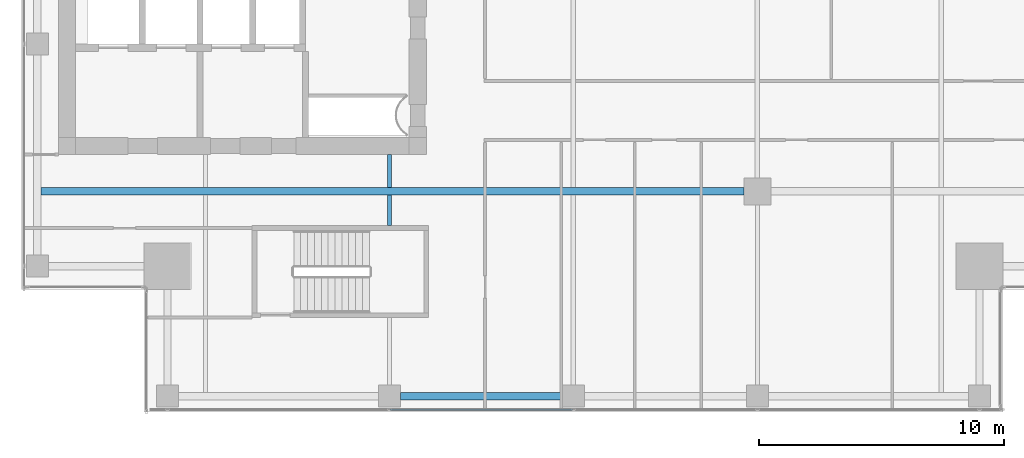
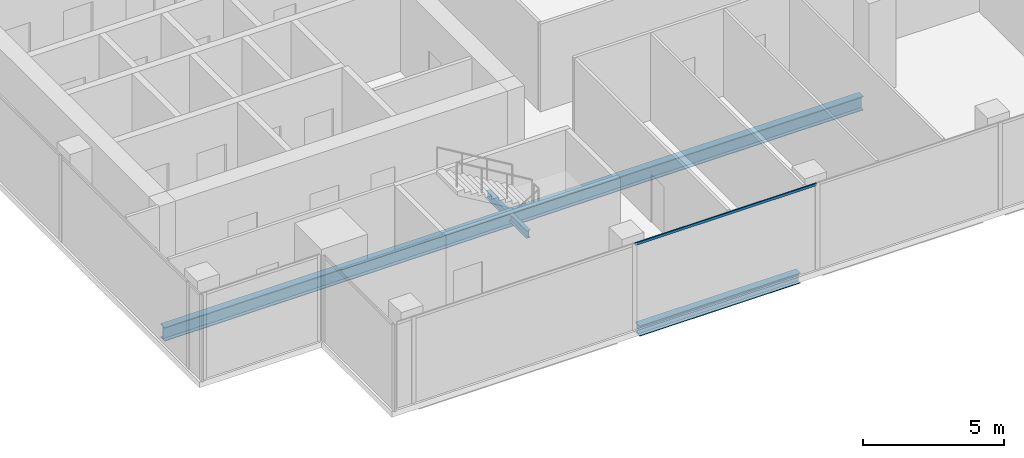
# One storey, part 5 of 35: 4 beams, 1 member, 1 element without a shape of its own.
"""IFC4 building model written with IfcOpenShell, lengths in metres."""

from ifc_helpers import new_model, si_unit, direction, frame, origin, origin_2d, place, context, subcontext, project, spatial, hollow_rectangle, i_section, extrude, source, transform, mapped, material, material_profile, profile_set, type_object, element, aggregate, save


model = new_model("IFC4")

# Units and contexts
model_context = context("Model", 3, precision=1e-05, world=origin(), true_north=direction((0.0, 1.0)))
body_context = subcontext(model_context, "Body", "Model", "MODEL_VIEW")
ifc_project = project(units=[si_unit("LENGTHUNIT", "METRE"), si_unit("AREAUNIT", "SQUARE_METRE"), si_unit("VOLUMEUNIT", "CUBIC_METRE"), si_unit("PLANEANGLEUNIT", "RADIAN"), si_unit("MASSUNIT", "GRAM", prefix="KILO")], contexts=[model_context])

# Site, building, storey
site_placement = place(None, origin())
site = spatial("IfcSite", under=ifc_project, at=site_placement, CompositionType="ELEMENT")
building_placement = place(site_placement, origin())
building = spatial("IfcBuilding", under=site, at=building_placement, Name="Khomas Fold Tower", CompositionType="ELEMENT")
storey_placement = place(building_placement, frame((0.0, 0.0, 270.199951171875)))
storey = spatial("IfcBuildingStorey", under=building, at=storey_placement, Name="L61", CompositionType="ELEMENT", Elevation=270.199951171875)

# Beams
ifc_material_1 = material(Name="Steel S355", Category="steel")
ifc_material_profile_1 = material_profile(ifc_material_1, i_section(OverallWidth=0.159912109375, OverallDepth=0.330078125, WebThickness=0.007568359375, FlangeThickness=0.011474609375, at=origin_2d()), Name="IPE 330")
ifc_profile_set_1 = profile_set([ifc_material_profile_1], Name="Steel S355")
beam_type_1 = type_object("IfcBeamType", Name="IPE 330 beam JB1", PredefinedType="BEAM", material=ifc_profile_set_1)
shared_shape_1 = source(origin(), body_context, "Body", "SweptSolid", [
    extrude(i_section(OverallWidth=0.159912109375, OverallDepth=0.330078125, WebThickness=0.007568359375, FlangeThickness=0.011474609375, at=origin_2d()), origin(), (0.0, 0.0, 1.0), 1.25),
])
beam_1_placement = place(storey_placement, frame((19.5, 12.10009765625, -0.4150390625), z_axis=(0.0, 1.0, 0.0), x_axis=(-1.0, 0.0, 0.0)))
element("IfcBeam", 1, at=beam_1_placement, inside=storey, type_object=beam_type_1, Name="JB1", PredefinedType="BEAM", context=body_context, shape_type="MappedRepresentation", body=[
    mapped(shared_shape_1, transform((0.0, 0.0, 0.0))),
])
shared_shape_2 = source(origin(), body_context, "Body", "SweptSolid", [
    extrude(i_section(OverallWidth=0.159912109375, OverallDepth=0.330078125, WebThickness=0.007568359375, FlangeThickness=0.011474609375, at=origin_2d()), origin(), (0.0, 0.0, 1.0), 1.35009765625),
])
beam_2_placement = place(storey_placement, frame((19.5, 13.64990234375, -0.4150390625), z_axis=(0.0, 1.0, 0.0), x_axis=(-1.0, 0.0, 0.0)))
element("IfcBeam", 2, at=beam_2_placement, inside=storey, type_object=beam_type_1, Name="JB1", PredefinedType="BEAM", context=body_context, shape_type="MappedRepresentation", body=[
    mapped(shared_shape_2, transform((0.0, 0.0, 0.0))),
])
ifc_material_2 = material(Name="Steel S355", Category="steel")
ifc_material_profile_2 = material_profile(ifc_material_2, i_section(OverallWidth=0.300048828125, OverallDepth=0.449951171875, WebThickness=0.013916015625, FlangeThickness=0.02587890625, at=origin_2d()), Name="HE 450 B")
ifc_profile_set_2 = profile_set([ifc_material_profile_2], Name="Steel S355")
beam_type_2 = type_object("IfcBeamType", Name="HE 450 B spandrel SB4", PredefinedType="SPANDREL", material=ifc_profile_set_2)
shared_shape_3 = source(origin(), body_context, "Body", "SweptSolid", [
    extrude(i_section(OverallWidth=0.300048828125, OverallDepth=0.449951171875, WebThickness=0.013916015625, FlangeThickness=0.02587890625, at=origin_2d()), origin(), (0.0, 0.0, 1.0), 6.60009765625),
])
beam_3_placement = place(storey_placement, frame((19.949951171875, 5.14990234375, -0.474853515625), z_axis=(1.0, 0.0, 0.0), x_axis=(0.0, 1.0, 0.0)))
element("IfcBeam", 3, at=beam_3_placement, inside=storey, type_object=beam_type_2, Name="SB4", PredefinedType="SPANDREL", context=body_context, shape_type="MappedRepresentation", body=[
    mapped(shared_shape_3, transform((0.0, 0.0, 0.0))),
])
ifc_material_3 = material(Name="Steel S355", Category="steel")
ifc_material_profile_3 = material_profile(ifc_material_3, i_section(OverallWidth=0.300048828125, OverallDepth=0.60009765625, WebThickness=0.015380859375, FlangeThickness=0.030029296875, at=origin_2d()), Name="HE 600 B")
ifc_profile_set_3 = profile_set([ifc_material_profile_3], Name="Steel S355")
beam_type_3 = type_object("IfcBeamType", Name="HE 600 B beam GB5", PredefinedType="BEAM", material=ifc_profile_set_3)
shared_shape_4 = source(origin(), body_context, "Body", "SweptSolid", [
    extrude(i_section(OverallWidth=0.300048828125, OverallDepth=0.60009765625, WebThickness=0.015380859375, FlangeThickness=0.030029296875, at=origin_2d()), origin(), (0.0, 0.0, 1.0), 28.64990234375),
])
beam_4_placement = place(storey_placement, frame((5.300048828125, 13.5, -0.550048828125), z_axis=(1.0, 0.0, 0.0), x_axis=(0.0, 1.0, 0.0)))
element("IfcBeam", 4, at=beam_4_placement, inside=storey, type_object=beam_type_3, Name="GB5", PredefinedType="BEAM", context=body_context, shape_type="MappedRepresentation", body=[
    mapped(shared_shape_4, transform((0.0, 0.0, 0.0))),
])

# Curtain wall, member
ifc_material_4 = material(Name="Aluminium framed double glazing", Category="aluminium")
curtain_wall_type = type_object("IfcCurtainWallType", Name="SK-Unitised clear-glass wall, office floors CW2", PredefinedType="NOTDEFINED", material=ifc_material_4)
curtain_wall_placement = place(storey_placement, origin())
curtain_wall = element("IfcCurtainWall", 5, at=curtain_wall_placement, inside=storey, type_object=curtain_wall_type, Name="CW2 run L61 00-0", PredefinedType="NOTDEFINED")
ifc_material_5 = material(Name="Aluminium", Category="aluminium")
ifc_material_profile_4 = material_profile(ifc_material_5, hollow_rectangle(XDim=0.050048828125, YDim=0.110107421875, WallThickness=0.00390625, at=origin_2d()), Name="SK-Unitised clear-glass wall, office floors transom CW2-T")
ifc_profile_set_4 = profile_set([ifc_material_profile_4], Name="Aluminium")
member_type = type_object("IfcMemberType", Name="SK-Unitised clear-glass wall, office floors transom CW2-T", PredefinedType="USERDEFINED", material=ifc_profile_set_4)
shared_shape_5 = source(origin(), body_context, "Body", "SweptSolid", [
    extrude(hollow_rectangle(XDim=0.050048828125, YDim=0.110107421875, WallThickness=0.00390625, at=origin_2d()), origin(), (0.0, 0.0, 1.0), 7.43994140625),
])
member_placement = place(storey_placement, frame((19.530029296875, 4.60009765625, 3.695068359375), z_axis=(1.0, 0.0, 0.0), x_axis=(0.0, 1.0, 0.0)))
member = element("IfcMember", 6, at=member_placement, type_object=member_type, Name="CW2 transom 3", ObjectType="TRANSOM", PredefinedType="USERDEFINED", context=body_context, shape_type="MappedRepresentation", body=[
    mapped(shared_shape_5, transform((0.0, 0.0, 0.0))),
])
aggregate(curtain_wall, [member])

save(model, "model.ifc")
